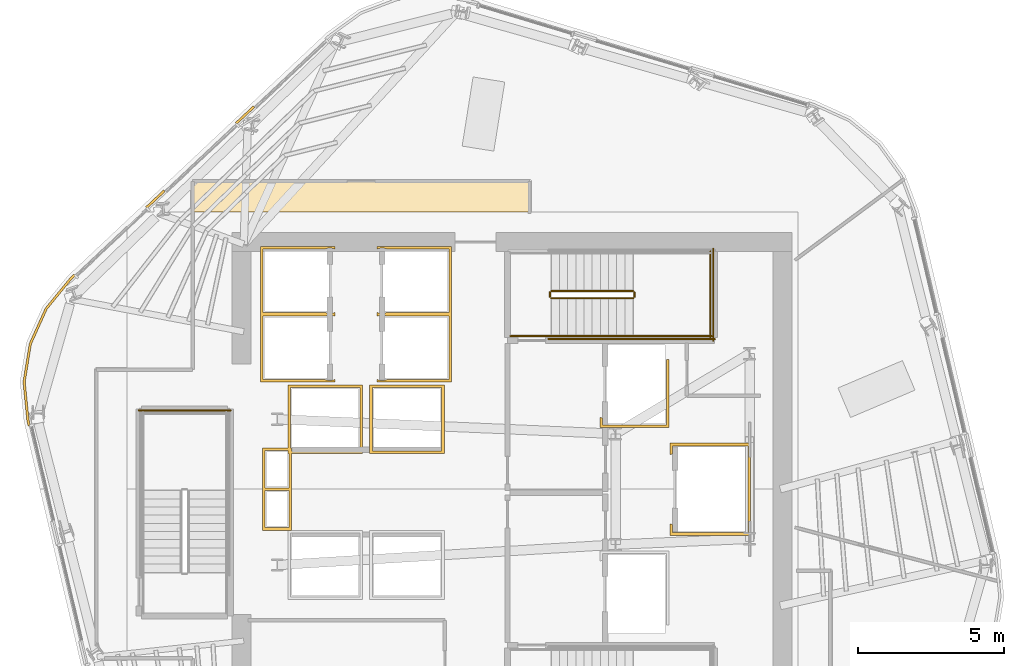
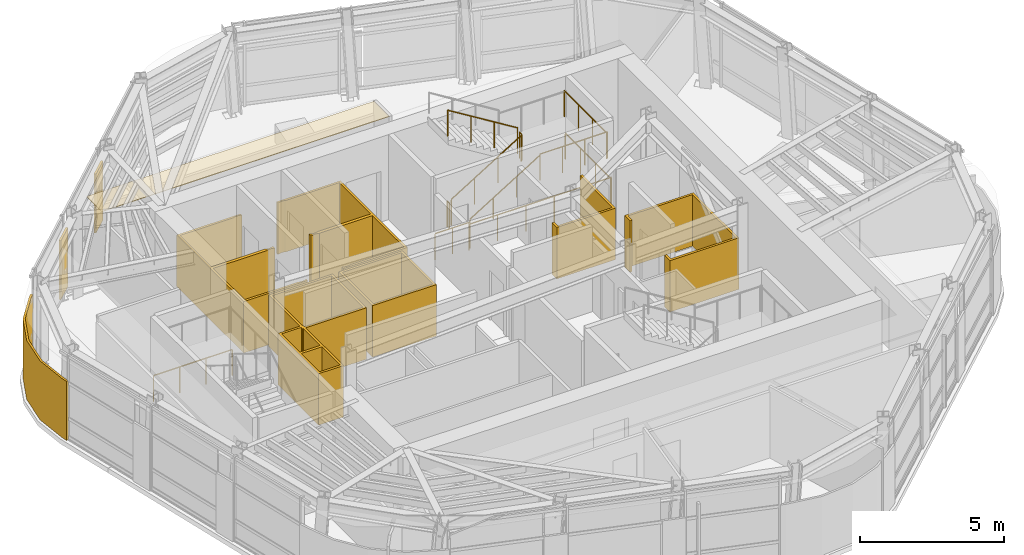
# One storey, part 12 of 14: 11 railings, 10 coverings.
"""IFC4 building model written with IfcOpenShell, lengths in metres."""

from ifc_helpers import new_model, si_unit, direction, frame, origin, origin_2d, place, context, subcontext, project, spatial, polyline, circle, outline, extrude, material, layer, layer_set, type_object, element, save


model = new_model("IFC4")

# Units and contexts
model_context = context("Model", 3, precision=1e-05, world=origin(), true_north=direction((0.0, 1.0)))
body_context = subcontext(model_context, "Body", "Model", "MODEL_VIEW")
ifc_project = project(units=[si_unit("LENGTHUNIT", "METRE"), si_unit("AREAUNIT", "SQUARE_METRE"), si_unit("VOLUMEUNIT", "CUBIC_METRE"), si_unit("PLANEANGLEUNIT", "RADIAN"), si_unit("MASSUNIT", "GRAM", prefix="KILO")], contexts=[model_context])

# Site, building, storey
site_placement = place(None, origin())
site = spatial("IfcSite", under=ifc_project, at=site_placement, CompositionType="ELEMENT")
building_placement = place(site_placement, origin())
building = spatial("IfcBuilding", under=site, at=building_placement, Name="Valkerne Bourse Tower", CompositionType="ELEMENT")
storey_placement = place(building_placement, frame((0.0, 0.0, 209.39990234375)))
storey = spatial("IfcBuildingStorey", under=building, at=storey_placement, Name="L53", CompositionType="ELEMENT", Elevation=209.39990234375)

# Coverings
ifc_material_1 = material(Name="Bronze Anodised Aluminium AA 6063-T6", Category="aluminium")
ifc_layer_1 = layer(ifc_material_1, 0.030029296875)
ifc_layer_set_1 = layer_set([ifc_layer_1], Name="Bronze Anodised Aluminium AA 6063-T6")
covering_type_1 = type_object("IfcCoveringType", Name="COV-CEIL-METAL", PredefinedType="CEILING", material=ifc_layer_set_1)
covering_1_placement = place(storey_placement, frame((0.0, 0.0, 3.25)))
element("IfcCovering", 1, at=covering_1_placement, inside=storey, type_object=covering_type_1, Name="L53 Suspended Ceiling 03", PredefinedType="CEILING", context=body_context, shape_type="SweptSolid", body=[
    extrude(outline(polyline([(35.85400390625, 37.555908203125), (47.39599609375, 37.555908203125), (47.39599609375, 36.5), (35.85400390625, 36.5), (35.85400390625, 37.555908203125)])), origin(), (0.0, 0.0, 1.0), 0.025146484375),
])
ifc_layer_2 = layer(ifc_material_1, 0.06005859375)
ifc_layer_set_2 = layer_set([ifc_layer_2], Name="Bronze Anodised Aluminium AA 6063-T6")
covering_type_2 = type_object("IfcCoveringType", Name="COV-CRN-ALUM", PredefinedType="CLADDING", material=ifc_layer_set_2)
covering_2_placement = place(storey_placement, origin())
element("IfcCovering", 2, at=covering_2_placement, inside=storey, type_object=covering_type_2, Name="L53 Wind-Shaped Corner Aluminium Cladding 10", PredefinedType="CLADDING", context=body_context, shape_type="SweptSolid", body=[
    extrude(outline(polyline([(30.1611328125, 29.35400390625), (30.0283203125, 30.68505859375), (30.243408203125, 31.998779296875), (30.791259765625, 33.2119140625), (31.638427734375, 34.2470703125), (31.779296875, 34.37939453125), (31.834228515625, 34.321044921875), (31.697021484375, 34.1923828125), (30.85986328125, 33.16943359375), (30.32080078125, 31.975341796875), (30.10888671875, 30.6826171875), (30.240234375, 29.3671875), (30.283203125, 29.18408203125), (30.205322265625, 29.165771484375), (30.1611328125, 29.35400390625)])), origin(), (0.0, 0.0, 1.0), 2.5),
])
covering_3_placement = place(storey_placement, origin())
element("IfcCovering", 3, at=covering_3_placement, inside=storey, type_object=covering_type_2, Name="L53 Wind-Shaped Corner Aluminium Cladding 11", PredefinedType="CLADDING", context=body_context, shape_type="SweptSolid", body=[
    extrude(outline(polyline([(34.849853515625, 37.2626953125), (34.904541015625, 37.204345703125), (34.292236328125, 36.62939453125), (34.237548828125, 36.687744140625), (34.849853515625, 37.2626953125)])), origin(), (0.0, 0.0, 1.0), 2.5),
])
covering_4_placement = place(storey_placement, origin())
element("IfcCovering", 4, at=covering_4_placement, inside=storey, type_object=covering_type_2, Name="L53 Wind-Shaped Corner Aluminium Cladding 12", PredefinedType="CLADDING", context=body_context, shape_type="SweptSolid", body=[
    extrude(outline(polyline([(37.92041015625, 40.14599609375), (37.97509765625, 40.087890625), (37.36279296875, 39.5126953125), (37.307861328125, 39.571044921875), (37.92041015625, 40.14599609375)])), origin(), (0.0, 0.0, 1.0), 2.5),
])
ifc_material_2 = material(Name="Gypsum Shaftwall Liner Board", Category="gypsum")
ifc_layer_3 = layer(ifc_material_2, 0.080078125)
ifc_layer_set_3 = layer_set([ifc_layer_3], Name="Gypsum Shaftwall Liner Board")
covering_type_3 = type_object("IfcCoveringType", Name="COV-SHF-CLAD", PredefinedType="CLADDING", material=ifc_layer_set_3)
covering_5_placement = place(storey_placement, origin())
element("IfcCovering", 5, at=covering_5_placement, inside=storey, type_object=covering_type_3, Name="L53 Hoistway & Riser Shaftwall Liner 03", PredefinedType="CLADDING", context=body_context, shape_type="SweptSolid", body=[
    extrude(outline(polyline([(38.239990234375, 28.409912109375), (39.1201171875, 28.409912109375), (39.1201171875, 30.580078125), (41.679931640625, 30.580078125), (41.679931640625, 28.219970703125), (39.239990234375, 28.219970703125), (39.239990234375, 27.0400390625), (39.239990234375, 26.9599609375), (39.239990234375, 25.590087890625), (38.239990234375, 25.590087890625), (38.239990234375, 26.9599609375), (38.239990234375, 27.0400390625), (38.239990234375, 28.409912109375)]), holes=[polyline([(38.330078125, 26.949951171875), (38.330078125, 25.679931640625), (39.14990234375, 25.679931640625), (39.14990234375, 26.949951171875), (38.330078125, 26.949951171875)]), polyline([(39.2099609375, 30.489990234375), (39.2099609375, 28.409912109375), (39.239990234375, 28.409912109375), (39.239990234375, 28.31005859375), (41.590087890625, 28.31005859375), (41.590087890625, 30.489990234375), (39.2099609375, 30.489990234375)]), polyline([(38.330078125, 27.050048828125), (39.14990234375, 27.050048828125), (39.14990234375, 28.219970703125), (39.1201171875, 28.219970703125), (39.1201171875, 28.320068359375), (38.330078125, 28.320068359375), (38.330078125, 27.050048828125)])]), origin(), (0.0, 0.0, 1.0), 2.18017578125),
])
covering_6_placement = place(storey_placement, origin())
element("IfcCovering", 6, at=covering_6_placement, inside=storey, type_object=covering_type_3, Name="L53 Hoistway & Riser Shaftwall Liner 04", PredefinedType="CLADDING", context=body_context, shape_type="SweptSolid", body=[
    extrude(outline(polyline([(38.169921875, 35.330078125), (40.72998046875, 35.330078125), (40.72998046875, 35.232177734375), (40.72216796875, 35.235595703125), (40.6806640625, 35.25048828125), (40.6376953125, 35.261474609375), (40.593994140625, 35.267822265625), (40.550048828125, 35.27001953125), (40.505859375, 35.267822265625), (40.462158203125, 35.261474609375), (40.41943359375, 35.25048828125), (40.3896484375, 35.239990234375), (38.260009765625, 35.239990234375), (38.260009765625, 33.06005859375), (40.3896484375, 33.06005859375), (40.41943359375, 33.04931640625), (40.462158203125, 33.03857421875), (40.505859375, 33.0322265625), (40.550048828125, 33.030029296875), (40.593994140625, 33.0322265625), (40.6376953125, 33.03857421875), (40.6806640625, 33.04931640625), (40.72216796875, 33.064208984375), (40.72998046875, 33.06787109375), (40.72998046875, 33.030029296875), (40.72998046875, 32.969970703125), (40.72998046875, 32.93212890625), (40.72216796875, 32.935791015625), (40.6806640625, 32.95068359375), (40.6376953125, 32.96142578125), (40.593994140625, 32.9677734375), (40.550048828125, 32.969970703125), (40.505859375, 32.9677734375), (40.462158203125, 32.96142578125), (40.41943359375, 32.95068359375), (40.3896484375, 32.93994140625), (38.260009765625, 32.93994140625), (38.260009765625, 30.760009765625), (40.3896484375, 30.760009765625), (40.41943359375, 30.74951171875), (40.462158203125, 30.738525390625), (40.505859375, 30.732177734375), (40.550048828125, 30.72998046875), (40.593994140625, 30.732177734375), (40.6376953125, 30.738525390625), (40.6806640625, 30.74951171875), (40.72216796875, 30.764404296875), (40.72998046875, 30.767822265625), (40.72998046875, 30.669921875), (38.169921875, 30.669921875), (38.169921875, 32.969970703125), (38.169921875, 33.030029296875), (38.169921875, 35.330078125)])), origin(), (0.0, 0.0, 1.0), 2.18017578125),
])
covering_7_placement = place(storey_placement, origin())
element("IfcCovering", 7, at=covering_7_placement, inside=storey, type_object=covering_type_3, Name="L53 Hoistway & Riser Shaftwall Liner 06", PredefinedType="CLADDING", context=body_context, shape_type="SweptSolid", body=[
    extrude(outline(polyline([(54.97998046875, 25.419921875), (52.219970703125, 25.419921875), (52.219970703125, 25.81787109375), (52.227783203125, 25.814208984375), (52.269287109375, 25.79931640625), (52.31005859375, 25.789306640625), (52.31005859375, 25.510009765625), (54.889892578125, 25.510009765625), (54.889892578125, 28.489990234375), (52.31005859375, 28.489990234375), (52.31005859375, 28.210693359375), (52.269287109375, 28.20068359375), (52.227783203125, 28.185791015625), (52.219970703125, 28.18212890625), (52.219970703125, 28.580078125), (54.97998046875, 28.580078125), (54.97998046875, 25.419921875)])), origin(), (0.0, 0.0, 1.0), 2.18017578125),
])
covering_8_placement = place(storey_placement, origin())
element("IfcCovering", 8, at=covering_8_placement, inside=storey, type_object=covering_type_3, Name="L53 Hoistway & Riser Shaftwall Liner 07", PredefinedType="CLADDING", context=body_context, shape_type="SweptSolid", body=[
    extrude(outline(polyline([(44.47998046875, 28.219970703125), (41.919921875, 28.219970703125), (41.919921875, 30.580078125), (44.47998046875, 30.580078125), (44.47998046875, 28.219970703125)]), holes=[polyline([(42.010009765625, 30.489990234375), (42.010009765625, 28.31005859375), (44.389892578125, 28.31005859375), (44.389892578125, 30.489990234375), (42.010009765625, 30.489990234375)])]), origin(), (0.0, 0.0, 1.0), 2.18017578125),
])
covering_9_placement = place(storey_placement, origin())
element("IfcCovering", 9, at=covering_9_placement, inside=storey, type_object=covering_type_3, Name="L53 Hoistway & Riser Shaftwall Liner 08", PredefinedType="CLADDING", context=body_context, shape_type="SweptSolid", body=[
    extrude(outline(polyline([(49.820068359375, 29.1201171875), (49.820068359375, 29.468017578125), (49.827880859375, 29.46435546875), (49.869384765625, 29.449462890625), (49.909912109375, 29.439208984375), (49.909912109375, 29.2099609375), (52.090087890625, 29.2099609375), (52.090087890625, 31.449951171875), (52.179931640625, 31.449951171875), (52.179931640625, 29.1201171875), (49.820068359375, 29.1201171875)])), origin(), (0.0, 0.0, 1.0), 2.18017578125),
])
covering_10_placement = place(storey_placement, origin())
element("IfcCovering", 10, at=covering_10_placement, inside=storey, type_object=covering_type_3, Name="L53 Hoistway & Riser Shaftwall Liner 09", PredefinedType="CLADDING", context=body_context, shape_type="SweptSolid", body=[
    extrude(outline(polyline([(42.169921875, 33.06787109375), (42.177734375, 33.064208984375), (42.219482421875, 33.04931640625), (42.26220703125, 33.03857421875), (42.305908203125, 33.0322265625), (42.35009765625, 33.030029296875), (42.39404296875, 33.0322265625), (42.437744140625, 33.03857421875), (42.480712890625, 33.04931640625), (42.51025390625, 33.06005859375), (44.639892578125, 33.06005859375), (44.639892578125, 35.239990234375), (42.51025390625, 35.239990234375), (42.480712890625, 35.25048828125), (42.437744140625, 35.261474609375), (42.39404296875, 35.267822265625), (42.35009765625, 35.27001953125), (42.305908203125, 35.267822265625), (42.26220703125, 35.261474609375), (42.219482421875, 35.25048828125), (42.177734375, 35.235595703125), (42.169921875, 35.232177734375), (42.169921875, 35.330078125), (44.72998046875, 35.330078125), (44.72998046875, 33.030029296875), (44.72998046875, 32.969970703125), (44.72998046875, 30.669921875), (42.169921875, 30.669921875), (42.169921875, 30.767822265625), (42.177734375, 30.764404296875), (42.219482421875, 30.74951171875), (42.26220703125, 30.738525390625), (42.305908203125, 30.732177734375), (42.35009765625, 30.72998046875), (42.39404296875, 30.732177734375), (42.437744140625, 30.738525390625), (42.480712890625, 30.74951171875), (42.51025390625, 30.760009765625), (44.639892578125, 30.760009765625), (44.639892578125, 32.93994140625), (42.51025390625, 32.93994140625), (42.480712890625, 32.95068359375), (42.437744140625, 32.96142578125), (42.39404296875, 32.9677734375), (42.35009765625, 32.969970703125), (42.305908203125, 32.9677734375), (42.26220703125, 32.96142578125), (42.219482421875, 32.95068359375), (42.177734375, 32.935791015625), (42.169921875, 32.93212890625), (42.169921875, 32.969970703125), (42.169921875, 33.030029296875), (42.169921875, 33.06787109375)])), origin(), (0.0, 0.0, 1.0), 2.18017578125),
])

# Railings
ifc_material_3 = material(Name="Galvanised Painted Steel", Category="steel")
railing_type_1 = type_object("IfcRailingType", Name="RLG-ST-GUARD-1120", PredefinedType="GUARDRAIL", material=ifc_material_3)
railing_1_placement = place(storey_placement, frame((48.14990234375, 33.550048828125, 0.1728515625)))
element("IfcRailing", 11, at=railing_1_placement, inside=storey, type_object=railing_type_1, Name="L53 ST-2 stair guard 1", PredefinedType="GUARDRAIL", context=body_context, shape_type="SweptSolid", body=[
    extrude(circle(Radius=0.02392578125, at=origin_2d()), frame((0.0, 0.0, 1.09619140625), z_axis=(0.851089632645, 0.0, 0.525020415988), x_axis=(0.0, 1.0, 0.0)), (0.0, 0.0, 1.0), 3.2900390625),
    extrude(circle(Radius=0.02099609375, at=origin_2d()), origin(), (0.0, 0.0, 1.0), 1.072021484375),
    extrude(circle(Radius=0.02099609375, at=origin_2d()), frame((0.933349609375, 0.0, 0.57568359375)), (0.0, 0.0, 1.0), 1.072021484375),
    extrude(circle(Radius=0.02099609375, at=origin_2d()), frame((1.86669921875, 0.0, 1.151611328125)), (0.0, 0.0, 1.0), 1.072021484375),
    extrude(circle(Radius=0.02099609375, at=origin_2d()), frame((2.800048828125, 0.0, 1.727294921875)), (0.0, 0.0, 1.0), 1.072021484375),
])
railing_2_placement = place(storey_placement, frame((51.0, 33.60009765625, 1.900146484375)))
element("IfcRailing", 12, at=railing_2_placement, inside=storey, type_object=railing_type_1, Name="L53 ST-2 stair guard 2", PredefinedType="GUARDRAIL", context=body_context, shape_type="SweptSolid", body=[
    extrude(circle(Radius=0.02392578125, at=origin_2d()), frame((0.0, 0.0, 1.09619140625), z_axis=(0.0, 1.0, 0.0), x_axis=(-1.0, 0.0, 0.0)), (0.0, 0.0, 1.0), 0.14990234375),
    extrude(circle(Radius=0.02099609375, at=origin_2d()), origin(), (0.0, 0.0, 1.0), 1.072021484375),
    extrude(circle(Radius=0.02099609375, at=origin_2d()), frame((0.0, 0.14990234375, 0.0)), (0.0, 0.0, 1.0), 1.072021484375),
])
railing_3_placement = place(storey_placement, frame((50.949951171875, 32.25, 1.900146484375)))
element("IfcRailing", 13, at=railing_3_placement, inside=storey, type_object=railing_type_1, Name="L53 ST-2 stair guard 3", PredefinedType="GUARDRAIL", context=body_context, shape_type="SweptSolid", body=[
    extrude(circle(Radius=0.02392578125, at=origin_2d()), frame((0.0, 0.0, 1.09619140625), z_axis=(1.0, 0.0, 0.0), x_axis=(0.0, 1.0, 0.0)), (0.0, 0.0, 1.0), 2.699951171875),
    extrude(circle(Radius=0.02099609375, at=origin_2d()), origin(), (0.0, 0.0, 1.0), 1.072021484375),
    extrude(circle(Radius=0.02099609375, at=origin_2d()), frame((0.89990234375, 0.0, 0.0)), (0.0, 0.0, 1.0), 1.072021484375),
    extrude(circle(Radius=0.02099609375, at=origin_2d()), frame((1.800048828125, 0.0, 0.0)), (0.0, 0.0, 1.0), 1.072021484375),
    extrude(circle(Radius=0.02099609375, at=origin_2d()), frame((2.699951171875, 0.0, 0.0)), (0.0, 0.0, 1.0), 1.072021484375),
])
railing_4_placement = place(storey_placement, frame((53.60009765625, 32.199951171875, 1.900146484375)))
element("IfcRailing", 14, at=railing_4_placement, inside=storey, type_object=railing_type_1, Name="L53 ST-2 stair guard 5", PredefinedType="GUARDRAIL", context=body_context, shape_type="SweptSolid", body=[
    extrude(circle(Radius=0.02392578125, at=origin_2d()), frame((0.0, 0.0, 1.09619140625), z_axis=(0.0, 1.0, 0.0), x_axis=(-1.0, 0.0, 0.0)), (0.0, 0.0, 1.0), 2.949951171875),
    extrude(circle(Radius=0.02099609375, at=origin_2d()), origin(), (0.0, 0.0, 1.0), 1.072021484375),
    extrude(circle(Radius=0.02099609375, at=origin_2d()), frame((0.0, 0.9833984375, 0.0)), (0.0, 0.0, 1.0), 1.072021484375),
    extrude(circle(Radius=0.02099609375, at=origin_2d()), frame((0.0, 1.966552734375, 0.0)), (0.0, 0.0, 1.0), 1.072021484375),
    extrude(circle(Radius=0.02099609375, at=origin_2d()), frame((0.0, 2.949951171875, 0.0)), (0.0, 0.0, 1.0), 1.072021484375),
])
railing_5_placement = place(storey_placement, frame((50.949951171875, 33.800048828125, 2.07275390625)))
element("IfcRailing", 15, at=railing_5_placement, inside=storey, type_object=railing_type_1, Name="L53 ST-2 stair guard 6", PredefinedType="GUARDRAIL", context=body_context, shape_type="SweptSolid", body=[
    extrude(circle(Radius=0.02392578125, at=origin_2d()), frame((0.0, 0.0, 1.09619140625), z_axis=(-0.851089632645, 0.0, 0.525020415988), x_axis=(0.0, -1.0, 0.0)), (0.0, 0.0, 1.0), 3.2900390625),
    extrude(circle(Radius=0.02099609375, at=origin_2d()), origin(), (0.0, 0.0, 1.0), 1.072021484375),
    extrude(circle(Radius=0.02099609375, at=origin_2d()), frame((-0.933349609375, 0.0, 0.57568359375)), (0.0, 0.0, 1.0), 1.072021484375),
    extrude(circle(Radius=0.02099609375, at=origin_2d()), frame((-1.86669921875, 0.0, 1.151611328125)), (0.0, 0.0, 1.0), 1.072021484375),
    extrude(circle(Radius=0.02099609375, at=origin_2d()), frame((-2.800048828125, 0.0, 1.727294921875)), (0.0, 0.0, 1.0), 1.072021484375),
])
railing_6_placement = place(storey_placement, frame((48.10009765625, 33.60009765625, 0.0)))
element("IfcRailing", 16, at=railing_6_placement, inside=storey, type_object=railing_type_1, Name="L53 ST-2 stair guard 7", PredefinedType="GUARDRAIL", context=body_context, shape_type="SweptSolid", body=[
    extrude(circle(Radius=0.02392578125, at=origin_2d()), frame((0.0, 0.0, 1.09619140625), z_axis=(0.0, 1.0, 0.0), x_axis=(-1.0, 0.0, 0.0)), (0.0, 0.0, 1.0), 0.14990234375),
    extrude(circle(Radius=0.02099609375, at=origin_2d()), origin(), (0.0, 0.0, 1.0), 1.072021484375),
    extrude(circle(Radius=0.02099609375, at=origin_2d()), frame((0.0, 0.14990234375, 0.0)), (0.0, 0.0, 1.0), 1.072021484375),
])
railing_7_placement = place(storey_placement, frame((46.75, 32.25, 0.0)))
element("IfcRailing", 17, at=railing_7_placement, inside=storey, type_object=railing_type_1, Name="L53 ST-2 stair guard 8", PredefinedType="GUARDRAIL", context=body_context, shape_type="SweptSolid", body=[
    extrude(circle(Radius=0.02392578125, at=origin_2d()), frame((0.0, 0.0, 1.09619140625), z_axis=(1.0, 0.0, 0.0), x_axis=(0.0, 1.0, 0.0)), (0.0, 0.0, 1.0), 1.39990234375),
    extrude(circle(Radius=0.02099609375, at=origin_2d()), origin(), (0.0, 0.0, 1.0), 1.072021484375),
    extrude(circle(Radius=0.02099609375, at=origin_2d()), frame((0.699951171875, 0.0, 0.0)), (0.0, 0.0, 1.0), 1.072021484375),
    extrude(circle(Radius=0.02099609375, at=origin_2d()), frame((1.39990234375, 0.0, 0.0)), (0.0, 0.0, 1.0), 1.072021484375),
])
railing_8_placement = place(storey_placement, frame((48.050048828125, 32.14990234375, 0.0)))
element("IfcRailing", 18, at=railing_8_placement, inside=storey, type_object=railing_type_1, Name="L53 ST-2 stair guard 10", PredefinedType="GUARDRAIL", context=body_context, shape_type="SweptSolid", body=[
    extrude(circle(Radius=0.02392578125, at=origin_2d()), frame((0.0, 0.0, 1.09619140625), z_axis=(1.0, 0.0, 0.0), x_axis=(0.0, 1.0, 0.0)), (0.0, 0.0, 1.0), 5.699951171875),
    extrude(circle(Radius=0.02099609375, at=origin_2d()), origin(), (0.0, 0.0, 1.0), 1.072021484375),
    extrude(circle(Radius=0.02099609375, at=origin_2d()), frame((1.139892578125, 0.0, 0.0)), (0.0, 0.0, 1.0), 1.072021484375),
    extrude(circle(Radius=0.02099609375, at=origin_2d()), frame((2.280029296875, 0.0, 0.0)), (0.0, 0.0, 1.0), 1.072021484375),
    extrude(circle(Radius=0.02099609375, at=origin_2d()), frame((3.419921875, 0.0, 0.0)), (0.0, 0.0, 1.0), 1.072021484375),
    extrude(circle(Radius=0.02099609375, at=origin_2d()), frame((4.56005859375, 0.0, 0.0)), (0.0, 0.0, 1.0), 1.072021484375),
    extrude(circle(Radius=0.02099609375, at=origin_2d()), frame((5.699951171875, 0.0, 0.0)), (0.0, 0.0, 1.0), 1.072021484375),
])
railing_9_placement = place(storey_placement, frame((53.699951171875, 32.10009765625, 0.0)))
element("IfcRailing", 19, at=railing_9_placement, inside=storey, type_object=railing_type_1, Name="L53 ST-2 stair guard 12", PredefinedType="GUARDRAIL", context=body_context, shape_type="SweptSolid", body=[
    extrude(circle(Radius=0.02392578125, at=origin_2d()), frame((0.0, 0.0, 1.09619140625), z_axis=(0.0, 1.0, 0.0), x_axis=(-1.0, 0.0, 0.0)), (0.0, 0.0, 1.0), 3.14990234375),
    extrude(circle(Radius=0.02099609375, at=origin_2d()), origin(), (0.0, 0.0, 1.0), 1.072021484375),
    extrude(circle(Radius=0.02099609375, at=origin_2d()), frame((0.0, 1.050048828125, 0.0)), (0.0, 0.0, 1.0), 1.072021484375),
    extrude(circle(Radius=0.02099609375, at=origin_2d()), frame((0.0, 2.099853515625, 0.0)), (0.0, 0.0, 1.0), 1.072021484375),
    extrude(circle(Radius=0.02099609375, at=origin_2d()), frame((0.0, 3.14990234375, 0.0)), (0.0, 0.0, 1.0), 1.072021484375),
])
railing_10_placement = place(storey_placement, frame((37.14990234375, 29.699951171875, 0.0)))
element("IfcRailing", 20, at=railing_10_placement, inside=storey, type_object=railing_type_1, Name="L53 ST-3 stair guard 12", PredefinedType="GUARDRAIL", context=body_context, shape_type="SweptSolid", body=[
    extrude(circle(Radius=0.02392578125, at=origin_2d()), frame((0.0, 0.0, 1.09619140625), z_axis=(-1.0, 0.0, 0.0), x_axis=(0.0, -1.0, 0.0)), (0.0, 0.0, 1.0), 3.14990234375),
    extrude(circle(Radius=0.02099609375, at=origin_2d()), origin(), (0.0, 0.0, 1.0), 1.072021484375),
    extrude(circle(Radius=0.02099609375, at=origin_2d()), frame((-1.050048828125, 0.0, 0.0)), (0.0, 0.0, 1.0), 1.072021484375),
    extrude(circle(Radius=0.02099609375, at=origin_2d()), frame((-2.099853515625, 0.0, 0.0)), (0.0, 0.0, 1.0), 1.072021484375),
    extrude(circle(Radius=0.02099609375, at=origin_2d()), frame((-3.14990234375, 0.0, 0.0)), (0.0, 0.0, 1.0), 1.072021484375),
])
ifc_material_4 = material(Name="Stainless Steel AISI 316", Category="steel")
railing_type_2 = type_object("IfcRailingType", Name="RLG-ST-HANDRAIL-900", PredefinedType="HANDRAIL", material=ifc_material_4)
railing_11_placement = place(storey_placement, frame((48.14990234375, 32.25, 0.345458984375)))
element("IfcRailing", 21, at=railing_11_placement, inside=storey, type_object=railing_type_2, Name="L53 ST-2 stair handrail 1", PredefinedType="HANDRAIL", context=body_context, shape_type="SweptSolid", body=[
    extrude(circle(Radius=0.02392578125, at=origin_2d()), frame((0.0, 0.0, 0.8759765625), z_axis=(0.851089632645, 0.0, 0.525020415988), x_axis=(0.0, 1.0, 0.0)), (0.0, 0.0, 1.0), 3.2900390625),
    extrude(circle(Radius=0.02099609375, at=origin_2d()), origin(), (0.0, 0.0, 1.0), 0.851806640625),
    extrude(circle(Radius=0.02099609375, at=origin_2d()), frame((0.933349609375, 0.0, 0.57568359375)), (0.0, 0.0, 1.0), 0.851806640625),
    extrude(circle(Radius=0.02099609375, at=origin_2d()), frame((1.86669921875, 0.0, 1.151611328125)), (0.0, 0.0, 1.0), 0.851806640625),
    extrude(circle(Radius=0.02099609375, at=origin_2d()), frame((2.800048828125, 0.0, 1.727294921875)), (0.0, 0.0, 1.0), 0.851806640625),
])

save(model, "model.ifc")
